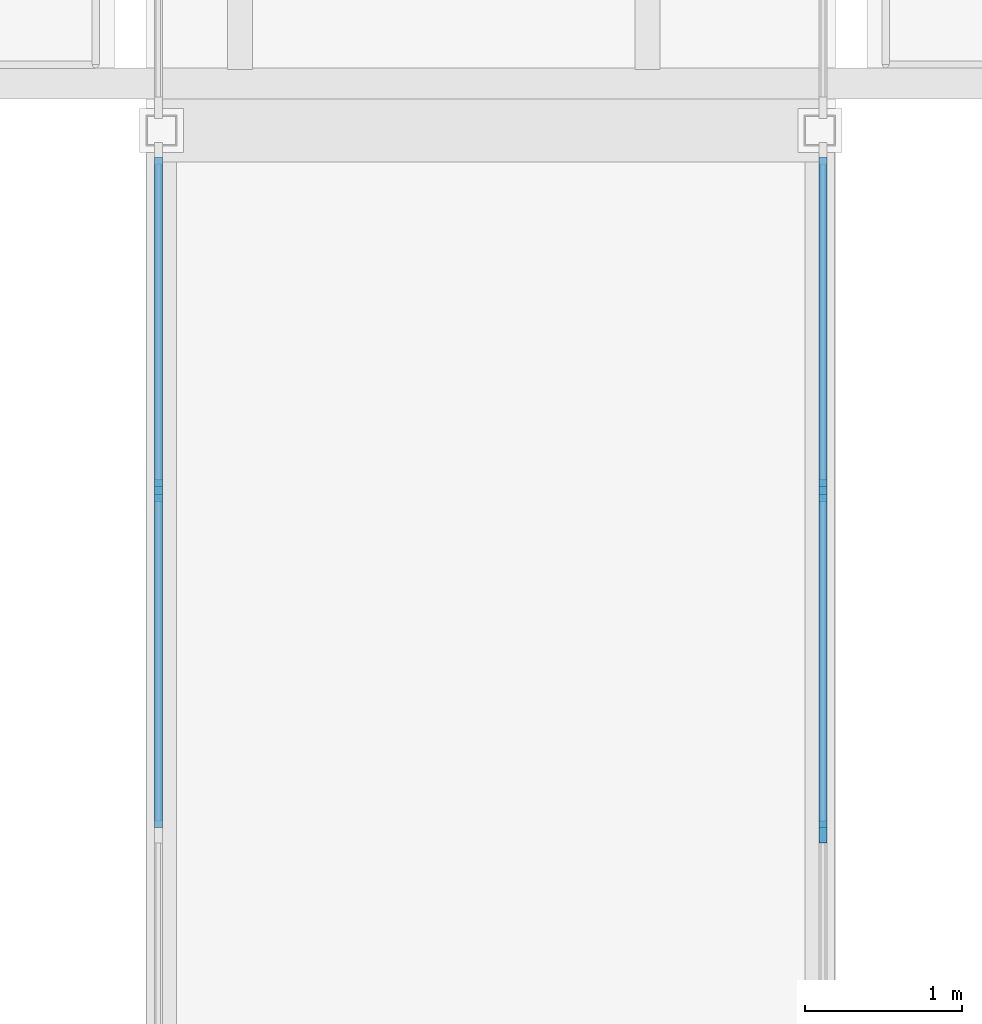
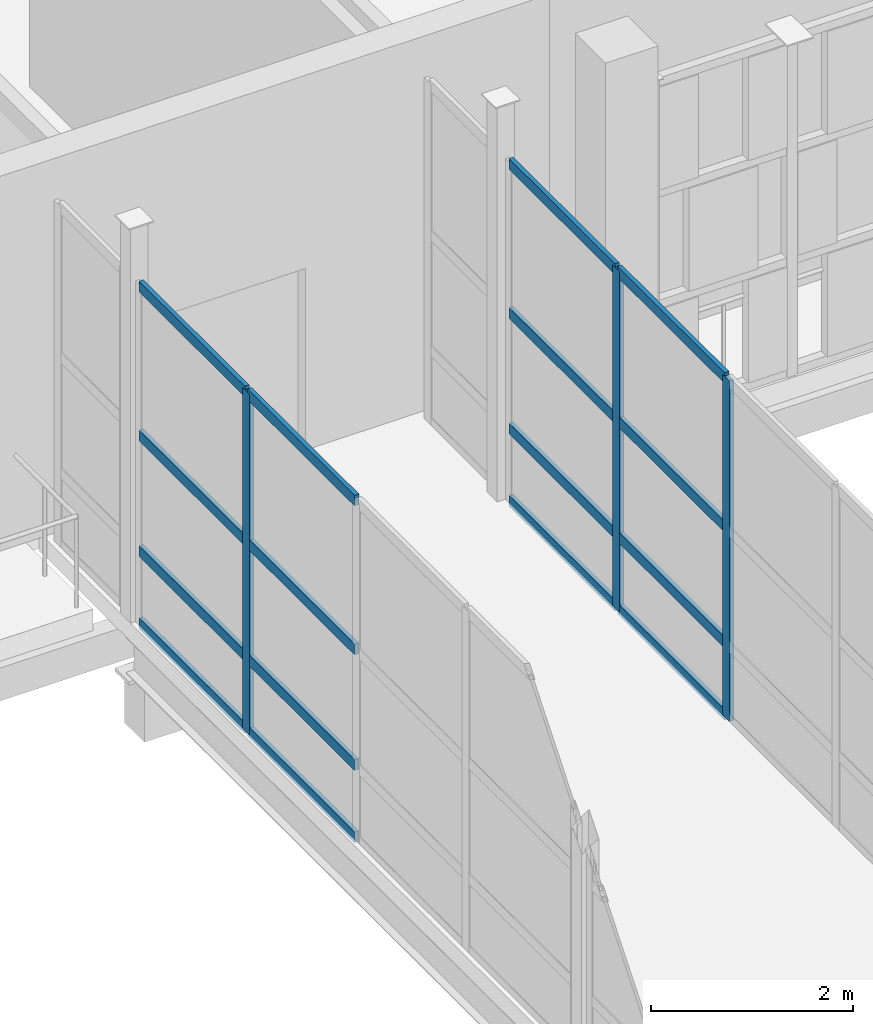
# One storey, part 50 of 138: 19 members, 2 elements without a shape of their own.
"""IFC4 building model written with IfcOpenShell, lengths in metres."""

from ifc_helpers import new_model, si_unit, direction, frame, origin, origin_2d, place, context, subcontext, project, spatial, rectangle, extrude, material, layer, layer_set, material_profile, profile_set, type_object, element, aggregate, save


model = new_model("IFC4")

# Units and contexts
model_context = context("Model", 3, precision=1e-05, world=origin(), true_north=direction((0.0, 1.0)))
body_context = subcontext(model_context, "Body", "Model", "MODEL_VIEW")
ifc_project = project(units=[si_unit("LENGTHUNIT", "METRE"), si_unit("AREAUNIT", "SQUARE_METRE"), si_unit("VOLUMEUNIT", "CUBIC_METRE"), si_unit("PLANEANGLEUNIT", "RADIAN"), si_unit("MASSUNIT", "GRAM", prefix="KILO")], contexts=[model_context])

# Site, building, storey
site_placement = place(None, origin())
site = spatial("IfcSite", under=ifc_project, at=site_placement, CompositionType="ELEMENT")
building_placement = place(site_placement, origin())
building = spatial("IfcBuilding", under=site, at=building_placement, Name="Celorna Specialist Clinic", CompositionType="ELEMENT")
storey_placement = place(building_placement, frame((0.0, 0.0, 4.800048828125)))
storey = spatial("IfcBuildingStorey", under=building, at=storey_placement, Name="L01", CompositionType="ELEMENT", Elevation=4.800048828125)

# Curtain wall, member
ifc_material_1 = material(Name="Thermally broken aluminium and solar-control glass curtain wall", Category="aluminium")
ifc_layer = layer(ifc_material_1, 0.159912109375, Name="Thermally broken aluminium and solar-control glass curtain wall")
ifc_layer_set = layer_set([ifc_layer], Name="Thermally broken aluminium and solar-control glass curtain wall")
curtain_wall_type = type_object("IfcCurtainWallType", Name="CW-114", PredefinedType="NOTDEFINED", material=ifc_layer_set)
curtain_wall_1_placement = place(storey_placement, origin())
curtain_wall_1 = element("IfcCurtainWall", 1, at=curtain_wall_1_placement, inside=storey, type_object=curtain_wall_type, Name="Curtain wall CW-114 #211", PredefinedType="NOTDEFINED")
ifc_material_2 = material(Name="Anodized aluminium mullion", Category="aluminium")
ifc_material_profile_1 = material_profile(ifc_material_2, rectangle(XDim=0.050048828125, YDim=0.139892578125, at=origin_2d()), Name="ALU MULLION 50x140")
ifc_profile_set_1 = profile_set([ifc_material_profile_1], Name="Anodized aluminium mullion")
member_type_1 = type_object("IfcMemberType", Name="ML-03", PredefinedType="MULLION", material=ifc_profile_set_1)
member_1_placement = place(storey_placement, frame((72.280029296875, 93.902587890625, 0.0), z_axis=(0.0, 0.0, 1.0), x_axis=(-1.0, 0.0, 0.0)))
member_1 = element("IfcMember", 2, at=member_1_placement, type_object=member_type_1, Name="CW-114 mullion 4", PredefinedType="MULLION", context=body_context, shape_type="SweptSolid", body=[
    extrude(rectangle(XDim=0.050048828125, YDim=0.139892578125, at=origin_2d()), origin(), (0.0, 0.0, 1.0), 4.1298828125),
])

# Curtain wall, members
curtain_wall_2_placement = place(storey_placement, origin())
curtain_wall_2 = element("IfcCurtainWall", 3, at=curtain_wall_2_placement, inside=storey, type_object=curtain_wall_type, Name="Curtain wall CW-114 #214", PredefinedType="NOTDEFINED")
member_2_placement = place(storey_placement, frame((76.52001953125, 93.902587890625, 0.0), z_axis=(0.0, 0.0, 1.0), x_axis=(1.0, 0.0, 0.0)))
member_2 = element("IfcMember", 4, at=member_2_placement, type_object=member_type_1, Name="CW-114 mullion 2", PredefinedType="MULLION", context=body_context, shape_type="SweptSolid", body=[
    extrude(rectangle(XDim=0.050048828125, YDim=0.139892578125, at=origin_2d()), origin(), (0.0, 0.0, 1.0), 4.1298828125),
])
member_3_placement = place(storey_placement, frame((76.52001953125, 91.72509765625, 0.0), z_axis=(0.0, 0.0, 1.0), x_axis=(1.0, 0.0, 0.0)))
member_3 = element("IfcMember", 5, at=member_3_placement, type_object=member_type_1, Name="CW-114 mullion 3", PredefinedType="MULLION", context=body_context, shape_type="SweptSolid", body=[
    extrude(rectangle(XDim=0.050048828125, YDim=0.139892578125, at=origin_2d()), origin(), (0.0, 0.0, 1.0), 4.1298828125),
])

# Member
ifc_material_3 = material(Name="Anodized aluminium transom", Category="aluminium")
ifc_material_profile_2 = material_profile(ifc_material_3, rectangle(XDim=0.050048828125, YDim=0.1298828125, at=origin_2d()), Name="ALU TRANSOM 50x130")
ifc_profile_set_2 = profile_set([ifc_material_profile_2], Name="Anodized aluminium transom")
member_type_2 = type_object("IfcMemberType", Name="TR-01", PredefinedType="USERDEFINED", material=ifc_profile_set_2)
member_4_placement = place(storey_placement, frame((72.280029296875, 91.75, 0.02490234375), z_axis=(0.0, 1.0, 0.0), x_axis=(-1.0, 0.0, 0.0)))
member_4 = element("IfcMember", 6, at=member_4_placement, type_object=member_type_2, Name="CW-114 transom 3.1", ObjectType="TRANSOM", PredefinedType="USERDEFINED", context=body_context, shape_type="SweptSolid", body=[
    extrude(rectangle(XDim=0.050048828125, YDim=0.1298828125, at=origin_2d()), origin(), (0.0, 0.0, 1.0), 2.12744140625),
])

member_5_placement = place(storey_placement, frame((72.280029296875, 91.75, 0.89990234375), z_axis=(0.0, 1.0, 0.0), x_axis=(-1.0, 0.0, 0.0)))
member_5 = element("IfcMember", 7, at=member_5_placement, type_object=member_type_2, Name="CW-114 transom 3.2", ObjectType="TRANSOM", PredefinedType="USERDEFINED", context=body_context, shape_type="SweptSolid", body=[
    extrude(rectangle(XDim=0.050048828125, YDim=0.1298828125, at=origin_2d()), origin(), (0.0, 0.0, 1.0), 2.12744140625),
])

member_6_placement = place(storey_placement, frame((72.280029296875, 91.75, 2.300048828125), z_axis=(0.0, 1.0, 0.0), x_axis=(-1.0, 0.0, 0.0)))
member_6 = element("IfcMember", 8, at=member_6_placement, type_object=member_type_2, Name="CW-114 transom 3.3", ObjectType="TRANSOM", PredefinedType="USERDEFINED", context=body_context, shape_type="SweptSolid", body=[
    extrude(rectangle(XDim=0.050048828125, YDim=0.1298828125, at=origin_2d()), origin(), (0.0, 0.0, 1.0), 2.12744140625),
])

member_7_placement = place(storey_placement, frame((72.280029296875, 91.75, 4.10498046875), z_axis=(0.0, 1.0, 0.0), x_axis=(-1.0, 0.0, 0.0)))
member_7 = element("IfcMember", 9, at=member_7_placement, type_object=member_type_2, Name="CW-114 transom 3.4", ObjectType="TRANSOM", PredefinedType="USERDEFINED", context=body_context, shape_type="SweptSolid", body=[
    extrude(rectangle(XDim=0.050048828125, YDim=0.1298828125, at=origin_2d()), origin(), (0.0, 0.0, 1.0), 2.12744140625),
])

member_8_placement = place(storey_placement, frame((72.280029296875, 93.927490234375, 0.02490234375), z_axis=(0.0, 1.0, 0.0), x_axis=(-1.0, 0.0, 0.0)))
member_8 = element("IfcMember", 10, at=member_8_placement, type_object=member_type_2, Name="CW-114 transom 4.1", ObjectType="TRANSOM", PredefinedType="USERDEFINED", context=body_context, shape_type="SweptSolid", body=[
    extrude(rectangle(XDim=0.050048828125, YDim=0.1298828125, at=origin_2d()), origin(), (0.0, 0.0, 1.0), 2.1025390625),
])

member_9_placement = place(storey_placement, frame((72.280029296875, 93.927490234375, 0.89990234375), z_axis=(0.0, 1.0, 0.0), x_axis=(-1.0, 0.0, 0.0)))
member_9 = element("IfcMember", 11, at=member_9_placement, type_object=member_type_2, Name="CW-114 transom 4.2", ObjectType="TRANSOM", PredefinedType="USERDEFINED", context=body_context, shape_type="SweptSolid", body=[
    extrude(rectangle(XDim=0.050048828125, YDim=0.1298828125, at=origin_2d()), origin(), (0.0, 0.0, 1.0), 2.1025390625),
])

member_10_placement = place(storey_placement, frame((72.280029296875, 93.927490234375, 2.300048828125), z_axis=(0.0, 1.0, 0.0), x_axis=(-1.0, 0.0, 0.0)))
member_10 = element("IfcMember", 12, at=member_10_placement, type_object=member_type_2, Name="CW-114 transom 4.3", ObjectType="TRANSOM", PredefinedType="USERDEFINED", context=body_context, shape_type="SweptSolid", body=[
    extrude(rectangle(XDim=0.050048828125, YDim=0.1298828125, at=origin_2d()), origin(), (0.0, 0.0, 1.0), 2.1025390625),
])

member_11_placement = place(storey_placement, frame((72.280029296875, 93.927490234375, 4.10498046875), z_axis=(0.0, 1.0, 0.0), x_axis=(-1.0, 0.0, 0.0)))
member_11 = element("IfcMember", 13, at=member_11_placement, type_object=member_type_2, Name="CW-114 transom 4.4", ObjectType="TRANSOM", PredefinedType="USERDEFINED", context=body_context, shape_type="SweptSolid", body=[
    extrude(rectangle(XDim=0.050048828125, YDim=0.1298828125, at=origin_2d()), origin(), (0.0, 0.0, 1.0), 2.1025390625),
])

aggregate(curtain_wall_1, [member_1, member_4, member_5, member_6, member_7, member_8, member_9, member_10, member_11])

member_12_placement = place(storey_placement, frame((76.52001953125, 96.030029296875, 0.02490234375), z_axis=(0.0, -1.0, 0.0), x_axis=(1.0, 0.0, 0.0)))
member_12 = element("IfcMember", 14, at=member_12_placement, type_object=member_type_2, Name="CW-114 transom 1.1", ObjectType="TRANSOM", PredefinedType="USERDEFINED", context=body_context, shape_type="SweptSolid", body=[
    extrude(rectangle(XDim=0.050048828125, YDim=0.1298828125, at=origin_2d()), origin(), (0.0, 0.0, 1.0), 2.1025390625),
])

member_13_placement = place(storey_placement, frame((76.52001953125, 96.030029296875, 0.89990234375), z_axis=(0.0, -1.0, 0.0), x_axis=(1.0, 0.0, 0.0)))
member_13 = element("IfcMember", 15, at=member_13_placement, type_object=member_type_2, Name="CW-114 transom 1.2", ObjectType="TRANSOM", PredefinedType="USERDEFINED", context=body_context, shape_type="SweptSolid", body=[
    extrude(rectangle(XDim=0.050048828125, YDim=0.1298828125, at=origin_2d()), origin(), (0.0, 0.0, 1.0), 2.1025390625),
])

member_14_placement = place(storey_placement, frame((76.52001953125, 96.030029296875, 2.300048828125), z_axis=(0.0, -1.0, 0.0), x_axis=(1.0, 0.0, 0.0)))
member_14 = element("IfcMember", 16, at=member_14_placement, type_object=member_type_2, Name="CW-114 transom 1.3", ObjectType="TRANSOM", PredefinedType="USERDEFINED", context=body_context, shape_type="SweptSolid", body=[
    extrude(rectangle(XDim=0.050048828125, YDim=0.1298828125, at=origin_2d()), origin(), (0.0, 0.0, 1.0), 2.1025390625),
])

member_15_placement = place(storey_placement, frame((76.52001953125, 96.030029296875, 4.10498046875), z_axis=(0.0, -1.0, 0.0), x_axis=(1.0, 0.0, 0.0)))
member_15 = element("IfcMember", 17, at=member_15_placement, type_object=member_type_2, Name="CW-114 transom 1.4", ObjectType="TRANSOM", PredefinedType="USERDEFINED", context=body_context, shape_type="SweptSolid", body=[
    extrude(rectangle(XDim=0.050048828125, YDim=0.1298828125, at=origin_2d()), origin(), (0.0, 0.0, 1.0), 2.1025390625),
])

member_16_placement = place(storey_placement, frame((76.52001953125, 93.87744140625, 0.02490234375), z_axis=(0.0, -1.0, 0.0), x_axis=(1.0, 0.0, 0.0)))
member_16 = element("IfcMember", 18, at=member_16_placement, type_object=member_type_2, Name="CW-114 transom 2.1", ObjectType="TRANSOM", PredefinedType="USERDEFINED", context=body_context, shape_type="SweptSolid", body=[
    extrude(rectangle(XDim=0.050048828125, YDim=0.1298828125, at=origin_2d()), origin(), (0.0, 0.0, 1.0), 2.12744140625),
])

member_17_placement = place(storey_placement, frame((76.52001953125, 93.87744140625, 0.89990234375), z_axis=(0.0, -1.0, 0.0), x_axis=(1.0, 0.0, 0.0)))
member_17 = element("IfcMember", 19, at=member_17_placement, type_object=member_type_2, Name="CW-114 transom 2.2", ObjectType="TRANSOM", PredefinedType="USERDEFINED", context=body_context, shape_type="SweptSolid", body=[
    extrude(rectangle(XDim=0.050048828125, YDim=0.1298828125, at=origin_2d()), origin(), (0.0, 0.0, 1.0), 2.12744140625),
])

member_18_placement = place(storey_placement, frame((76.52001953125, 93.87744140625, 2.300048828125), z_axis=(0.0, -1.0, 0.0), x_axis=(1.0, 0.0, 0.0)))
member_18 = element("IfcMember", 20, at=member_18_placement, type_object=member_type_2, Name="CW-114 transom 2.3", ObjectType="TRANSOM", PredefinedType="USERDEFINED", context=body_context, shape_type="SweptSolid", body=[
    extrude(rectangle(XDim=0.050048828125, YDim=0.1298828125, at=origin_2d()), origin(), (0.0, 0.0, 1.0), 2.12744140625),
])

member_19_placement = place(storey_placement, frame((76.52001953125, 93.87744140625, 4.10498046875), z_axis=(0.0, -1.0, 0.0), x_axis=(1.0, 0.0, 0.0)))
member_19 = element("IfcMember", 21, at=member_19_placement, type_object=member_type_2, Name="CW-114 transom 2.4", ObjectType="TRANSOM", PredefinedType="USERDEFINED", context=body_context, shape_type="SweptSolid", body=[
    extrude(rectangle(XDim=0.050048828125, YDim=0.1298828125, at=origin_2d()), origin(), (0.0, 0.0, 1.0), 2.12744140625),
])

aggregate(curtain_wall_2, [member_2, member_3, member_12, member_13, member_14, member_15, member_16, member_17, member_18, member_19])

save(model, "model.ifc")
